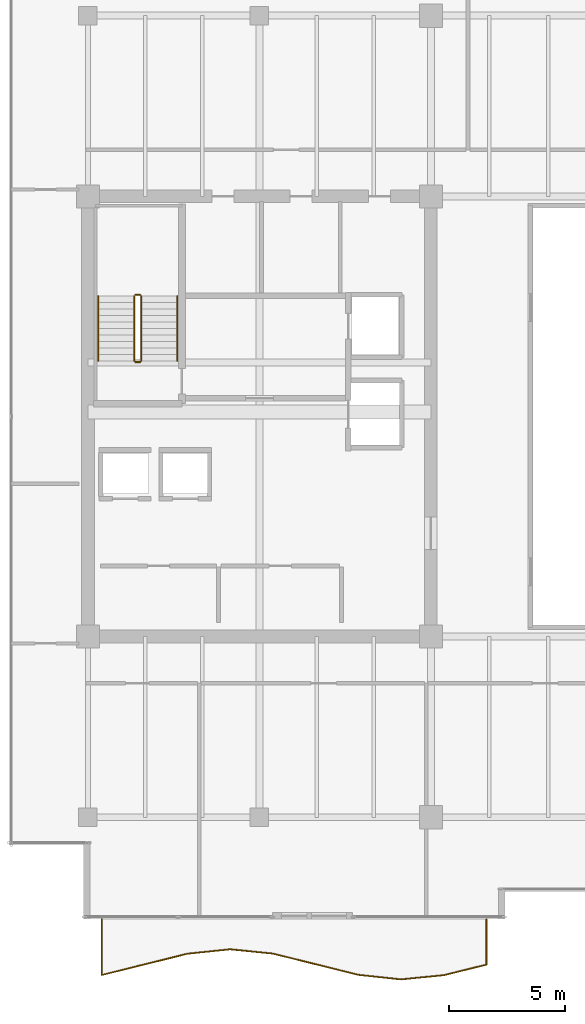
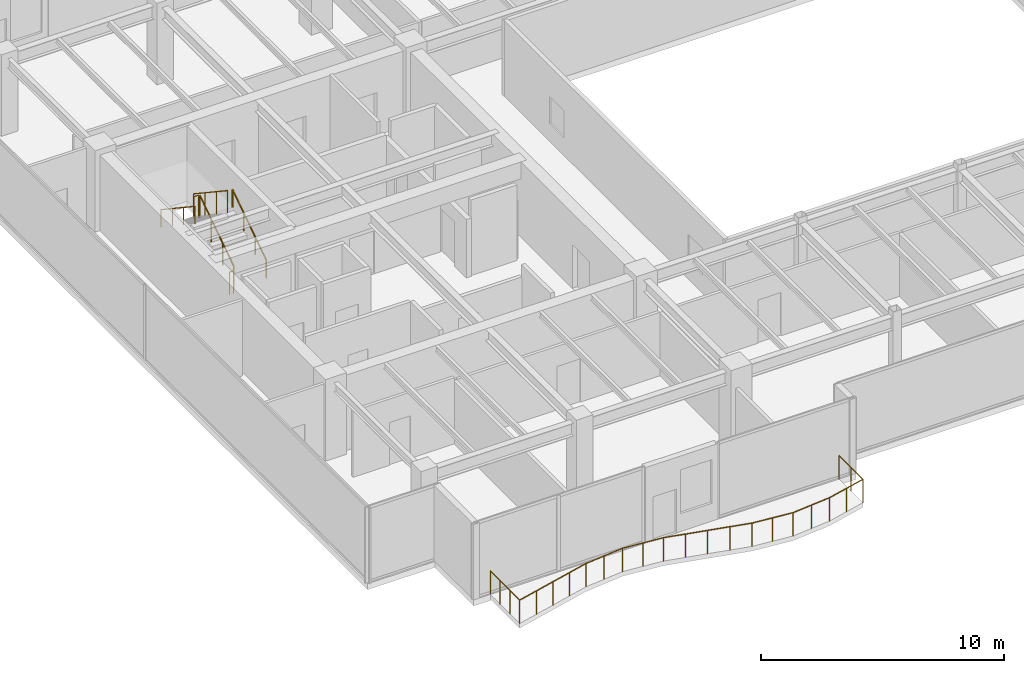
# One storey, part 32 of 34: 7 railings.
"""IFC4 building model written with IfcOpenShell, lengths in metres."""

import ifcopenshell
import ifcopenshell.guid

model = None  # the IFC model being written
_history = None  # IfcOwnerHistory: only IFC2X3 demands one
_inside = {}  # id of a spatial element -> (the spatial element, [elements in it])
_under = {}  # id of a project, library or spatial element -> (it, [spatial elements below it])
_declared = {}  # id of a project -> (the project, [libraries it declares])
_typed = {}  # id of a type object -> (the type object, [elements of that type])
_made_of = {}  # id of a material, layer set ... -> (it, [elements and type objects made of it])


def new_model(schema):
    """Start an empty IFC model of exactly this schema.

    Asked for "IFC4X3", IfcOpenShell would pick the latest addendum, in which some entities
    have other attributes; the version numbers below select the first issue.
    IFC2X3 requires an IfcOwnerHistory on every rooted entity: one is made here for all.
    """
    global model, _history
    if schema == "IFC4X3":
        model = ifcopenshell.file(schema_version=(4, 3, 0, 0))
    else:
        model = ifcopenshell.file(schema=schema)
    _inside.clear()
    _under.clear()
    _declared.clear()
    _typed.clear()
    _made_of.clear()
    _history = None
    if model.schema == "IFC2X3":
        org = make("IfcOrganization", Name="unknown")
        user = make(
            "IfcPersonAndOrganization",
            ThePerson=make("IfcPerson", FamilyName="unknown"),
            TheOrganization=org,
        )
        app = make(
            "IfcApplication",
            ApplicationDeveloper=org,
            Version="unknown",
            ApplicationFullName="unknown",
            ApplicationIdentifier="unknown",
        )
        _history = make(
            "IfcOwnerHistory",
            OwningUser=user,
            OwningApplication=app,
            ChangeAction="ADDED",
            CreationDate=0,
        )
    return model


def make(cls, **values):
    """One entity of the class cls with the attributes given. An attribute that is None is left unset."""
    return model.create_entity(
        cls, **{name: value for name, value in values.items() if value is not None}
    )


def rooted(cls, **values):
    """An entity with a GlobalId (a new one), such as an element, a storey or a relation."""
    return make(cls, GlobalId=ifcopenshell.guid.new(), OwnerHistory=_history, **values)


def si_unit(unit_type, name, prefix=None):
    """IfcSIUnit, for example si_unit("LENGTHUNIT", "METRE", prefix="MILLI")."""
    return make("IfcSIUnit", UnitType=unit_type, Prefix=prefix, Name=name)


def assignment(units):
    """IfcUnitAssignment: the units of a project."""
    return None if units is None else make("IfcUnitAssignment", Units=units)


def point(xyz):
    """IfcCartesianPoint."""
    return None if xyz is None else make("IfcCartesianPoint", Coordinates=xyz)


def direction(xyz):
    """IfcDirection."""
    return None if xyz is None else make("IfcDirection", DirectionRatios=xyz)


def frame(location, z_axis=None, x_axis=None):
    """IfcAxis2Placement3D, a coordinate frame: its origin and axes. An axis left out is left unset."""
    return make(
        "IfcAxis2Placement3D",
        Location=point(location),
        Axis=direction(z_axis),
        RefDirection=direction(x_axis),
    )


def frame_2d(location, x_axis=None):
    """IfcAxis2Placement2D, a coordinate frame in the plane: its origin and x axis."""
    return make(
        "IfcAxis2Placement2D", Location=point(location), RefDirection=direction(x_axis)
    )


def origin():
    """The frame at (0, 0, 0) with its axes left unset."""
    return frame((0.0, 0.0, 0.0))


def origin_2d():
    """The frame at (0, 0) in the plane with its x axis left unset."""
    return frame_2d((0.0, 0.0))


def place(relative_to, where):
    """IfcLocalPlacement: puts the frame where relative to a parent placement (None: the world)."""
    return make(
        "IfcLocalPlacement", PlacementRelTo=relative_to, RelativePlacement=where
    )


def context(
    kind, dimensions, precision=None, world=None, true_north=None, identifier=None
):
    """IfcGeometricRepresentationContext, for example the 3D "Model" context."""
    return make(
        "IfcGeometricRepresentationContext",
        ContextIdentifier=identifier,
        ContextType=kind,
        CoordinateSpaceDimension=dimensions,
        Precision=precision,
        WorldCoordinateSystem=world,
        TrueNorth=true_north,
    )


def subcontext(parent, identifier, kind, view, scale=None):
    """IfcGeometricRepresentationSubContext, for example "Body" below "Model"."""
    return make(
        "IfcGeometricRepresentationSubContext",
        ContextIdentifier=identifier,
        ContextType=kind,
        ParentContext=parent,
        TargetScale=scale,
        TargetView=view,
    )


def project(units=None, contexts=None):
    """IfcProject with its units and contexts."""
    return rooted(
        "IfcProject",
        Name="project",
        RepresentationContexts=contexts,
        UnitsInContext=assignment(units),
    )


def spatial(cls, under=None, at=None, **own):
    """A site, building, storey or space (cls), placed at a placement, below another one or the project."""
    s = rooted(cls, ObjectPlacement=at, **own)
    if under is not None:
        _under.setdefault(under.id(), (under, []))[1].append(s)
    return s


def profile(cls, at=None, kind="AREA", **sizes):
    """A parametric profile (cls). Its sizes go by their IFC names, for example OverallWidth=200.0."""
    return make(cls, ProfileType=kind, Position=at, **sizes)


def circle(**sizes):
    """IfcCircleProfileDef."""
    return profile("IfcCircleProfileDef", **sizes)


def extrude(swept, where, along, depth):
    """IfcExtrudedAreaSolid: the profile swept, set in the frame where, extruded along a direction by depth."""
    return make(
        "IfcExtrudedAreaSolid",
        SweptArea=swept,
        Position=where,
        ExtrudedDirection=direction(along),
        Depth=depth,
    )


def shape(context_of_items, identifier, shape_type, items):
    """IfcShapeRepresentation: the items that make up one representation, for example the "Body"."""
    return make(
        "IfcShapeRepresentation",
        ContextOfItems=context_of_items,
        RepresentationIdentifier=identifier,
        RepresentationType=shape_type,
        Items=items,
    )


def source(mapping_origin, context_of_items, identifier, shape_type, items):
    """IfcRepresentationMap: a shape defined once, which mapped items show again and again."""
    return make(
        "IfcRepresentationMap",
        MappingOrigin=mapping_origin,
        MappedRepresentation=shape(context_of_items, identifier, shape_type, items),
    )


def transform(
    local_origin,
    x_axis=None,
    y_axis=None,
    z_axis=None,
    scale=None,
    scale2=None,
    scale3=None,
    uniform=True,
):
    """IfcCartesianTransformationOperator3D, or its non-uniform kind. x_axis, y_axis, z_axis: its Axis1, 2, 3."""
    if uniform:
        return make(
            "IfcCartesianTransformationOperator3D",
            Axis1=direction(x_axis),
            Axis2=direction(y_axis),
            LocalOrigin=point(local_origin),
            Scale=scale,
            Axis3=direction(z_axis),
        )
    return make(
        "IfcCartesianTransformationOperator3DnonUniform",
        Axis1=direction(x_axis),
        Axis2=direction(y_axis),
        LocalOrigin=point(local_origin),
        Scale=scale,
        Axis3=direction(z_axis),
        Scale2=scale2,
        Scale3=scale3,
    )


def mapped(mapping_source, mapping_target):
    """IfcMappedItem: shows the shape of a source again, moved by a transform."""
    return make(
        "IfcMappedItem", MappingSource=mapping_source, MappingTarget=mapping_target
    )


def material(Name=None, Category=None):
    """IfcMaterial."""
    return make("IfcMaterial", Name=Name, Category=Category)


def made_of(thing, what):
    """Note that an element or type object is made of a material, layer set ...; save() writes the relation."""
    if what is not None:
        _made_of.setdefault(what.id(), (what, []))[1].append(thing)
    return thing


def type_object(cls, material=None, **own):
    """A type object (cls), such as IfcWallType, which elements share."""
    return made_of(rooted(cls, **own), material)


def type_shapes(of_type, sources):
    """Give a type object the sources (RepresentationMaps) that its elements show as mapped items."""
    of_type.RepresentationMaps = sources


def element(
    cls,
    number,
    at=None,
    inside=None,
    cuts=None,
    type_object=None,
    material=None,
    context=None,
    identifier="Body",
    shape_type=None,
    held_by="IfcProductDefinitionShape",
    body=None,
    shapes=None,
    **own,
):
    """One element of the class cls, such as IfcWall. Its Tag is "e" and its number.

    at: its placement. inside: the storey or other place that contains it. cuts: it is an
    opening in that element (IfcRelVoidsElement). A single representation is given by context,
    identifier, shape_type and body (its items); several are given by shapes. held_by: the class
    of the entity that holds the representations. save() writes the other relations.
    """
    e = rooted(cls, Tag="e%d" % number, ObjectPlacement=at, **own)
    if body is not None:
        shapes = [shape(context, identifier, shape_type, body)]
    if shapes is not None:
        e.Representation = make(held_by, Representations=shapes)
    if inside is not None:
        _inside.setdefault(inside.id(), (inside, []))[1].append(e)
    if cuts is not None:
        rooted(
            "IfcRelVoidsElement", RelatingBuildingElement=cuts, RelatedOpeningElement=e
        )
    if type_object is not None:
        _typed.setdefault(type_object.id(), (type_object, []))[1].append(e)
    return made_of(e, material)


def aggregate(whole, parts):
    """IfcRelAggregates: a whole, such as a stair, and the parts it consists of."""
    return rooted("IfcRelAggregates", RelatingObject=whole, RelatedObjects=parts)


def save(model, path):
    """Write the relations noted so far, then the file.

    IfcRelAggregates (storeys below a building ...), IfcRelContainedInSpatialStructure (elements
    in a storey), IfcRelDefinesByType, IfcRelAssociatesMaterial and IfcRelDeclares: one each for
    every whole, place, type object, material and project.
    """
    for whole, parts in _under.values():
        aggregate(whole, parts)
    for where, things in _inside.values():
        rooted(
            "IfcRelContainedInSpatialStructure",
            RelatedElements=things,
            RelatingStructure=where,
        )
    for kind, things in _typed.values():
        rooted("IfcRelDefinesByType", RelatedObjects=things, RelatingType=kind)
    for what, things in _made_of.values():
        rooted("IfcRelAssociatesMaterial", RelatedObjects=things, RelatingMaterial=what)
    for by, libraries in _declared.values():
        rooted("IfcRelDeclares", RelatingContext=by, RelatedDefinitions=libraries)
    model.write(path)


model = new_model("IFC4")

# Units and contexts
model_context = context("Model", 3, precision=1e-05, world=origin(), true_north=direction((0.0, 1.0)))
body_context = subcontext(model_context, "Body", "Model", "MODEL_VIEW")
ifc_project = project(units=[si_unit("LENGTHUNIT", "METRE"), si_unit("AREAUNIT", "SQUARE_METRE"), si_unit("VOLUMEUNIT", "CUBIC_METRE"), si_unit("PLANEANGLEUNIT", "RADIAN"), si_unit("MASSUNIT", "GRAM", prefix="KILO")], contexts=[model_context])

# Site, building, storey
site_placement = place(None, origin())
site = spatial("IfcSite", under=ifc_project, at=site_placement, CompositionType="ELEMENT")
building_placement = place(site_placement, origin())
building = spatial("IfcBuilding", under=site, at=building_placement, Name="Haelvirn Gate Laboratories", CompositionType="ELEMENT")
storey_placement = place(building_placement, frame((0.0, 0.0, 205.5)))
storey = spatial("IfcBuildingStorey", under=building, at=storey_placement, Name="L49", CompositionType="ELEMENT", Elevation=205.5)

# Railings
ifc_material_1 = material(Name="Laminated safety glass & bronze stainless steel 316L", Category="steel")
railing_type_1 = type_object("IfcRailingType", Name="RLG-BAL-1200", PredefinedType="BALUSTRADE", material=ifc_material_1)
shared_shape_1 = source(origin(), body_context, "Body", "SweptSolid", [
    extrude(circle(Radius=0.02392578125, at=origin_2d()), frame((0.0, 0.0, 1.17578125), z_axis=(0.0, -1.0, 0.0), x_axis=(1.0, 0.0, 0.0)), (0.0, 0.0, 1.0), 2.40966796875),
    extrude(circle(Radius=0.02392578125, at=origin_2d()), frame((0.0, -2.40966796875, 1.17578125), z_axis=(0.970526659918, 0.240993780808, 0.0), x_axis=(-0.240993780808, 0.970526659918, 0.0)), (0.0, 0.0, 1.0), 1.900390625),
    extrude(circle(Radius=0.02392578125, at=origin_2d()), frame((1.844482421875, -1.95166015625, 1.17578125), z_axis=(0.970406370256, 0.241477693724, 0.0), x_axis=(-0.241477693724, 0.970406370256, 0.0)), (0.0, 0.0, 1.0), 1.900634765625),
    extrude(circle(Radius=0.02392578125, at=origin_2d()), frame((3.68896484375, -1.49267578125, 1.17578125), z_axis=(0.994589538856, 0.103882862875, 0.0), x_axis=(-0.103882862875, 0.994589538856, 0.0)), (0.0, 0.0, 1.0), 1.854248046875),
    extrude(circle(Radius=0.02392578125, at=origin_2d()), frame((5.533203125, -1.300048828125, 1.17578125), z_axis=(0.99495207536, -0.100351221896, 0.0), x_axis=(0.100351221896, 0.99495207536, 0.0)), (0.0, 0.0, 1.0), 1.853759765625),
    extrude(circle(Radius=0.02392578125, at=origin_2d()), frame((7.377685546875, -1.486083984375, 1.17578125), z_axis=(0.970736657491, -0.240146500708, 0.0), x_axis=(0.240146500708, 0.970736657491, 0.0)), (0.0, 0.0, 1.0), 1.900146484375),
    extrude(circle(Radius=0.02392578125, at=origin_2d()), frame((9.22216796875, -1.9423828125, 1.17578125), z_axis=(0.970195354945, -0.242324107847, 0.0), x_axis=(0.242324107847, 0.970195354945, 0.0)), (0.0, 0.0, 1.0), 1.901123046875),
    extrude(circle(Radius=0.02392578125, at=origin_2d()), frame((11.066650390625, -2.403076171875, 1.17578125), z_axis=(0.994343457941, -0.106212464667, 0.0), x_axis=(0.106212464667, 0.994343457941, 0.0)), (0.0, 0.0, 1.0), 1.85498046875),
    extrude(circle(Radius=0.02392578125, at=origin_2d()), frame((12.9111328125, -2.60009765625, 1.17578125), z_axis=(0.995173188465, 0.098134219114, 0.0), x_axis=(-0.098134219114, 0.995173188465, 0.0)), (0.0, 0.0, 1.0), 1.853515625),
    extrude(circle(Radius=0.02392578125, at=origin_2d()), frame((14.755615234375, -2.418212890625, 1.17578125), z_axis=(0.97097585942, 0.239177508191, 0.0), x_axis=(-0.239177508191, 0.97097585942, 0.0)), (0.0, 0.0, 1.0), 1.899658203125),
    extrude(circle(Radius=0.02392578125, at=origin_2d()), frame((16.60009765625, -1.9638671875, 1.17578125), z_axis=(0.0, 1.0, 0.0), x_axis=(-1.0, 0.0, 0.0)), (0.0, 0.0, 1.0), 1.9638671875),
    extrude(circle(Radius=0.02099609375, at=origin_2d()), origin(), (0.0, 0.0, 1.0), 1.15185546875),
    extrude(circle(Radius=0.02099609375, at=origin_2d()), frame((0.0, -0.80322265625, 0.0)), (0.0, 0.0, 1.0), 1.15185546875),
    extrude(circle(Radius=0.02099609375, at=origin_2d()), frame((0.0, -1.6064453125, 0.0)), (0.0, 0.0, 1.0), 1.15185546875),
    extrude(circle(Radius=0.02099609375, at=origin_2d()), frame((0.0, -2.40966796875, 0.0)), (0.0, 0.0, 1.0), 1.15185546875),
    extrude(circle(Radius=0.02099609375, at=origin_2d()), frame((0.92236328125, -2.1806640625, 0.0)), (0.0, 0.0, 1.0), 1.15185546875),
    extrude(circle(Radius=0.02099609375, at=origin_2d()), frame((1.844482421875, -1.95166015625, 0.0)), (0.0, 0.0, 1.0), 1.15185546875),
    extrude(circle(Radius=0.02099609375, at=origin_2d()), frame((2.7666015625, -1.72216796875, 0.0)), (0.0, 0.0, 1.0), 1.15185546875),
    extrude(circle(Radius=0.02099609375, at=origin_2d()), frame((3.68896484375, -1.49267578125, 0.0)), (0.0, 0.0, 1.0), 1.15185546875),
    extrude(circle(Radius=0.02099609375, at=origin_2d()), frame((4.611083984375, -1.396484375, 0.0)), (0.0, 0.0, 1.0), 1.15185546875),
    extrude(circle(Radius=0.02099609375, at=origin_2d()), frame((5.533203125, -1.300048828125, 0.0)), (0.0, 0.0, 1.0), 1.15185546875),
    extrude(circle(Radius=0.02099609375, at=origin_2d()), frame((6.45556640625, -1.39306640625, 0.0)), (0.0, 0.0, 1.0), 1.15185546875),
    extrude(circle(Radius=0.02099609375, at=origin_2d()), frame((7.377685546875, -1.486083984375, 0.0)), (0.0, 0.0, 1.0), 1.15185546875),
    extrude(circle(Radius=0.02099609375, at=origin_2d()), frame((8.2998046875, -1.71435546875, 0.0)), (0.0, 0.0, 1.0), 1.15185546875),
    extrude(circle(Radius=0.02099609375, at=origin_2d()), frame((9.22216796875, -1.9423828125, 0.0)), (0.0, 0.0, 1.0), 1.15185546875),
    extrude(circle(Radius=0.02099609375, at=origin_2d()), frame((10.14453125, -2.1728515625, 0.0)), (0.0, 0.0, 1.0), 1.15185546875),
    extrude(circle(Radius=0.02099609375, at=origin_2d()), frame((11.066650390625, -2.403076171875, 0.0)), (0.0, 0.0, 1.0), 1.15185546875),
    extrude(circle(Radius=0.02099609375, at=origin_2d()), frame((11.98876953125, -2.50146484375, 0.0)), (0.0, 0.0, 1.0), 1.15185546875),
    extrude(circle(Radius=0.02099609375, at=origin_2d()), frame((12.9111328125, -2.60009765625, 0.0)), (0.0, 0.0, 1.0), 1.15185546875),
    extrude(circle(Radius=0.02099609375, at=origin_2d()), frame((13.83349609375, -2.50927734375, 0.0)), (0.0, 0.0, 1.0), 1.15185546875),
    extrude(circle(Radius=0.02099609375, at=origin_2d()), frame((14.755615234375, -2.418212890625, 0.0)), (0.0, 0.0, 1.0), 1.15185546875),
    extrude(circle(Radius=0.02099609375, at=origin_2d()), frame((15.677734375, -2.19091796875, 0.0)), (0.0, 0.0, 1.0), 1.15185546875),
    extrude(circle(Radius=0.02099609375, at=origin_2d()), frame((16.60009765625, -1.9638671875, 0.0)), (0.0, 0.0, 1.0), 1.15185546875),
    extrude(circle(Radius=0.02099609375, at=origin_2d()), frame((16.60009765625, -0.98193359375, 0.0)), (0.0, 0.0, 1.0), 1.15185546875),
    extrude(circle(Radius=0.02099609375, at=origin_2d()), frame((16.60009765625, 0.0, 0.0)), (0.0, 0.0, 1.0), 1.15185546875),
])
type_shapes(railing_type_1, [shared_shape_1])
railing_1_placement = place(storey_placement, frame((8.0, 2.60009765625, 0.0)))
element("IfcRailing", 1, at=railing_1_placement, inside=storey, type_object=railing_type_1, Name="L49 Wave Balcony Balustrade WL-S", PredefinedType="BALUSTRADE", context=body_context, shape_type="MappedRepresentation", body=[
    mapped(shared_shape_1, transform((0.0, 0.0, 0.0), scale=1.0)),
])
ifc_material_2 = material(Name="Galvanised steel SM355 & stainless top rail", Category="steel")
railing_type_2 = type_object("IfcRailingType", Name="RL-GUARD-1150", PredefinedType="GUARDRAIL", material=ifc_material_2)
shared_shape_2 = source(origin(), body_context, "Body", "SweptSolid", [
    extrude(circle(Radius=0.02392578125, at=origin_2d()), frame((0.0, 0.0, 1.1259765625), z_axis=(-1.0, 0.0, 0.0), x_axis=(0.0, -1.0, 0.0)), (0.0, 0.0, 1.0), 0.199951171875),
    extrude(circle(Radius=0.02099609375, at=origin_2d()), origin(), (0.0, 0.0, 1.0), 1.101806640625),
    extrude(circle(Radius=0.02099609375, at=origin_2d()), frame((-0.199951171875, 0.0, 0.0)), (0.0, 0.0, 1.0), 1.101806640625),
])
for number, where, name in (
    (2, (9.64990234375, 29.550048828125, 2.050048828125), "L49 ST1 stair guard 2"),
    (3, (9.64990234375, 26.64990234375, 0.0), "L49 ST1 stair guard 4"),
):
    element("IfcRailing", number, at=place(storey_placement, frame(where)), inside=storey, type_object=railing_type_2, Name=name, PredefinedType="GUARDRAIL", context=body_context, shape_type="MappedRepresentation", body=[
        mapped(shared_shape_2, transform((0.0, 0.0, 0.0), scale=1.0)),
    ])
shared_shape_3 = source(origin(), body_context, "Body", "SweptSolid", [
    extrude(circle(Radius=0.02392578125, at=origin_2d()), frame((0.0, 0.0, 1.1259765625), z_axis=(0.0, -0.832452072856, 0.554097055034), x_axis=(1.0, 0.0, 0.0)), (0.0, 0.0, 1.0), 3.363525390625),
    extrude(circle(Radius=0.02099609375, at=origin_2d()), origin(), (0.0, 0.0, 1.0), 1.101806640625),
    extrude(circle(Radius=0.02099609375, at=origin_2d()), frame((0.0, -0.933349609375, 0.621337890625)), (0.0, 0.0, 1.0), 1.101806640625),
    extrude(circle(Radius=0.02099609375, at=origin_2d()), frame((0.0, -1.86669921875, 1.242431640625)), (0.0, 0.0, 1.0), 1.101806640625),
    extrude(circle(Radius=0.02099609375, at=origin_2d()), frame((0.0, -2.800048828125, 1.86376953125)), (0.0, 0.0, 1.0), 1.101806640625),
])
railing_2_placement = place(storey_placement, frame((9.39990234375, 29.5, 2.236328125)))
element("IfcRailing", 4, at=railing_2_placement, inside=storey, type_object=railing_type_2, Name="L49 ST1 stair guard 3", PredefinedType="GUARDRAIL", context=body_context, shape_type="MappedRepresentation", body=[
    mapped(shared_shape_3, transform((0.0, 0.0, 0.0), scale=1.0)),
])
ifc_material_3 = material(Name="Brushed stainless steel 316L", Category="steel")
railing_type_3 = type_object("IfcRailingType", Name="RL-HAND-920", PredefinedType="HANDRAIL", material=ifc_material_3)
shared_shape_4 = source(origin(), body_context, "Body", "SweptSolid", [
    extrude(circle(Radius=0.02392578125, at=origin_2d()), frame((0.0, 0.0, 0.8759765625), z_axis=(0.0, -0.832452072856, 0.554097055034), x_axis=(1.0, 0.0, 0.0)), (0.0, 0.0, 1.0), 3.363525390625),
    extrude(circle(Radius=0.02099609375, at=origin_2d()), origin(), (0.0, 0.0, 1.0), 0.851806640625),
    extrude(circle(Radius=0.02099609375, at=origin_2d()), frame((0.0, -0.933349609375, 0.621337890625)), (0.0, 0.0, 1.0), 0.851806640625),
    extrude(circle(Radius=0.02099609375, at=origin_2d()), frame((0.0, -1.86669921875, 1.242431640625)), (0.0, 0.0, 1.0), 0.851806640625),
    extrude(circle(Radius=0.02099609375, at=origin_2d()), frame((0.0, -2.800048828125, 1.86376953125)), (0.0, 0.0, 1.0), 0.851806640625),
])
railing_3_placement = place(storey_placement, frame((7.85009765625, 29.5, 2.236328125)))
element("IfcRailing", 5, at=railing_3_placement, inside=storey, type_object=railing_type_3, Name="L49 ST1 stair handrail 2", PredefinedType="HANDRAIL", context=body_context, shape_type="MappedRepresentation", body=[
    mapped(shared_shape_4, transform((0.0, 0.0, 0.0), scale=1.0)),
])
shared_shape_5 = source(origin(), body_context, "Body", "SweptSolid", [
    extrude(circle(Radius=0.02392578125, at=origin_2d()), frame((0.0, 0.0, 1.1259765625), z_axis=(0.0, 0.832452072856, 0.554097055034), x_axis=(-1.0, 0.0, 0.0)), (0.0, 0.0, 1.0), 3.363525390625),
    extrude(circle(Radius=0.02099609375, at=origin_2d()), origin(), (0.0, 0.0, 1.0), 1.101806640625),
    extrude(circle(Radius=0.02099609375, at=origin_2d()), frame((0.0, 0.933349609375, 0.621337890625)), (0.0, 0.0, 1.0), 1.101806640625),
    extrude(circle(Radius=0.02099609375, at=origin_2d()), frame((0.0, 1.86669921875, 1.242431640625)), (0.0, 0.0, 1.0), 1.101806640625),
    extrude(circle(Radius=0.02099609375, at=origin_2d()), frame((0.0, 2.800048828125, 1.86376953125)), (0.0, 0.0, 1.0), 1.101806640625),
])
type_shapes(railing_type_2, [shared_shape_2, shared_shape_3, shared_shape_5])
railing_4_placement = place(storey_placement, frame((9.699951171875, 26.699951171875, 0.186279296875)))
element("IfcRailing", 6, at=railing_4_placement, inside=storey, type_object=railing_type_2, Name="L49 ST1 stair guard 1", PredefinedType="GUARDRAIL", context=body_context, shape_type="MappedRepresentation", body=[
    mapped(shared_shape_5, transform((0.0, 0.0, 0.0), scale=1.0)),
])
shared_shape_6 = source(origin(), body_context, "Body", "SweptSolid", [
    extrude(circle(Radius=0.02392578125, at=origin_2d()), frame((0.0, 0.0, 0.8759765625), z_axis=(0.0, 0.832452072856, 0.554097055034), x_axis=(-1.0, 0.0, 0.0)), (0.0, 0.0, 1.0), 3.363525390625),
    extrude(circle(Radius=0.02099609375, at=origin_2d()), origin(), (0.0, 0.0, 1.0), 0.851806640625),
    extrude(circle(Radius=0.02099609375, at=origin_2d()), frame((0.0, 0.933349609375, 0.621337890625)), (0.0, 0.0, 1.0), 0.851806640625),
    extrude(circle(Radius=0.02099609375, at=origin_2d()), frame((0.0, 1.86669921875, 1.242431640625)), (0.0, 0.0, 1.0), 0.851806640625),
    extrude(circle(Radius=0.02099609375, at=origin_2d()), frame((0.0, 2.800048828125, 1.86376953125)), (0.0, 0.0, 1.0), 0.851806640625),
])
type_shapes(railing_type_3, [shared_shape_4, shared_shape_6])
railing_5_placement = place(storey_placement, frame((11.25, 26.699951171875, 0.186279296875)))
element("IfcRailing", 7, at=railing_5_placement, inside=storey, type_object=railing_type_3, Name="L49 ST1 stair handrail 1", PredefinedType="HANDRAIL", context=body_context, shape_type="MappedRepresentation", body=[
    mapped(shared_shape_6, transform((0.0, 0.0, 0.0), scale=1.0)),
])

save(model, "model.ifc")
